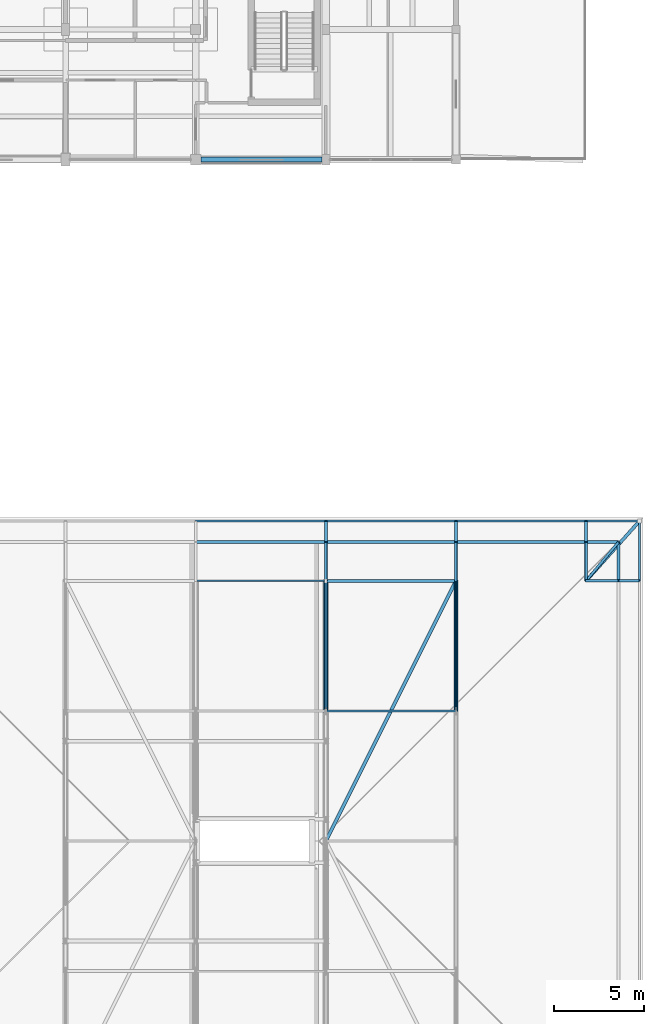
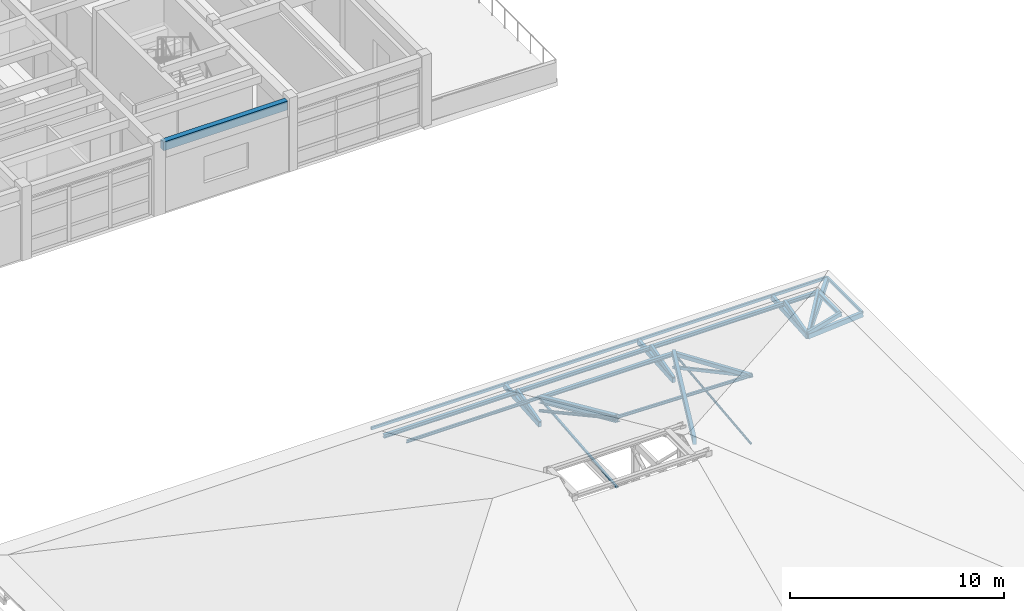
# One storey, part 37 of 100: 30 members, 1 beam.
"""IFC4 building model written with IfcOpenShell, lengths in metres."""

from ifc_helpers import new_model, si_unit, direction, frame, origin, origin_2d, place, context, subcontext, project, spatial, rectangle, hollow_rectangle, hollow_circle, i_section, extrude, material, material_profile, profile_set, type_object, element, save


model = new_model("IFC4")

# Units and contexts
model_context = context("Model", 3, precision=1e-05, world=origin(), true_north=direction((0.0, 1.0)))
body_context = subcontext(model_context, "Body", "Model", "MODEL_VIEW")
ifc_project = project(units=[si_unit("LENGTHUNIT", "METRE"), si_unit("AREAUNIT", "SQUARE_METRE"), si_unit("VOLUMEUNIT", "CUBIC_METRE"), si_unit("PLANEANGLEUNIT", "RADIAN"), si_unit("MASSUNIT", "GRAM", prefix="KILO")], contexts=[model_context])

# Site, building, storey
site_placement = place(None, origin())
site = spatial("IfcSite", under=ifc_project, at=site_placement, CompositionType="ELEMENT")
building_placement = place(site_placement, origin())
building = spatial("IfcBuilding", under=site, at=building_placement, Name="Steenspoor Specialist Clinic", CompositionType="ELEMENT")
storey_placement = place(building_placement, frame((0.0, 0.0, 9.0)))
storey = spatial("IfcBuildingStorey", under=building, at=storey_placement, Name="L02", CompositionType="ELEMENT", Elevation=9.0)

# Members
ifc_material_1 = material(Name="Steel A500 Grade C", Category="steel")
ifc_material_profile_1 = material_profile(ifc_material_1, hollow_circle(Radius=0.084228515625, WallThickness=0.007080078125, at=origin_2d()), Name="CHS168X7.1")
ifc_profile_set_1 = profile_set([ifc_material_profile_1], Name="Steel A500 Grade C")
member_type_1 = type_object("IfcMemberType", Name="MEM-BRACE-CHS168", PredefinedType="BRACE", material=ifc_profile_set_1)
member_1_placement = place(storey_placement, frame((146.800048828125, 34.64990234375, 4.218017578125), z_axis=(0.0, 0.877939937854, -0.478770785993), x_axis=(-1.0, 0.0, 0.0)))
element("IfcMember", 1, at=member_1_placement, inside=storey, type_object=member_type_1, Name="ROOF TRUSS Web Brace V2 5.4", PredefinedType="BRACE", context=body_context, shape_type="SweptSolid", body=[
    extrude(hollow_circle(Radius=0.084228515625, WallThickness=0.007080078125, at=origin_2d()), origin(), (0.0, 0.0, 1.0), 8.201171875),
])
ifc_material_profile_2 = material_profile(ifc_material_1, hollow_rectangle(XDim=0.15234375, YDim=0.15234375, WallThickness=0.0087890625, at=origin_2d()), Name="HSS152X152X9.5")
ifc_profile_set_2 = profile_set([ifc_material_profile_2], Name="Steel A500 Grade C")
member_type_2 = type_object("IfcMemberType", Name="MEM-BRACE-H152", PredefinedType="BRACE", material=ifc_profile_set_2)
member_2_placement = place(storey_placement, frame((154.0, 34.64990234375, 4.133056640625), z_axis=(0.0, 0.880312904893, -0.474393496455), x_axis=(-1.0, 0.0, 0.0)))
element("IfcMember", 2, at=member_2_placement, inside=storey, type_object=member_type_2, Name="ROOF TRUSS Web Brace V2 6.4", PredefinedType="BRACE", context=body_context, shape_type="SweptSolid", body=[
    extrude(hollow_rectangle(XDim=0.15234375, YDim=0.15234375, WallThickness=0.0087890625, at=origin_2d()), origin(), (0.0, 0.0, 1.0), 8.17919921875),
])
ifc_material_profile_3 = material_profile(ifc_material_1, hollow_rectangle(XDim=0.203125, YDim=0.203125, WallThickness=0.01171875, at=origin_2d()), Name="HSS203X203X12.7")
ifc_profile_set_3 = profile_set([ifc_material_profile_3], Name="Steel A500 Grade C")
member_type_3 = type_object("IfcMemberType", Name="MEM-CHORD-H203", PredefinedType="CHORD", material=ifc_profile_set_3)
member_3_placement = place(storey_placement, frame((154.0, 34.64990234375, 4.133056640625), z_axis=(0.0, 0.918991843269, -0.39427654255), x_axis=(-1.0, 0.0, 0.0)))
element("IfcMember", 3, at=member_3_placement, inside=storey, type_object=member_type_3, Name="ROOF TRUSS Top Chord V2 6.4", PredefinedType="CHORD", context=body_context, shape_type="SweptSolid", body=[
    extrude(hollow_rectangle(XDim=0.203125, YDim=0.203125, WallThickness=0.01171875, at=origin_2d()), origin(), (0.0, 0.0, 1.0), 7.8349609375),
])
ifc_material_2 = material(Name="Steel A992 Grade 50", Category="steel")
ifc_material_profile_4 = material_profile(ifc_material_2, i_section(OverallWidth=0.257080078125, OverallDepth=0.363037109375, WebThickness=0.012939453125, FlangeThickness=0.021728515625, at=origin_2d()), Name="W360X122")
ifc_profile_set_4 = profile_set([ifc_material_profile_4], Name="Steel A992 Grade 50")
member_type_4 = type_object("IfcMemberType", Name="MEM-CHORD-W360", PredefinedType="CHORD", material=ifc_profile_set_4)
member_4_placement = place(storey_placement, frame((146.800048828125, 34.64990234375, 4.218017578125), z_axis=(0.0, 0.911601974326, -0.411074008428), x_axis=(-1.0, 0.0, 0.0)))
element("IfcMember", 4, at=member_4_placement, inside=storey, type_object=member_type_4, Name="ROOF TRUSS Top Chord V2 5.4", PredefinedType="CHORD", context=body_context, shape_type="SweptSolid", body=[
    extrude(i_section(OverallWidth=0.257080078125, OverallDepth=0.363037109375, WebThickness=0.012939453125, FlangeThickness=0.021728515625, at=origin_2d()), origin(), (0.0, 0.0, 1.0), 7.8984375),
])
ifc_material_profile_5 = material_profile(ifc_material_1, hollow_rectangle(XDim=0.1015625, YDim=0.15234375, WallThickness=0.005859375, at=origin_2d()), Name="HSS152X102X6.4")
ifc_profile_set_5 = profile_set([ifc_material_profile_5], Name="Steel A500 Grade C")
member_type_5 = type_object("IfcMemberType", Name="MEM-PURLIN-H152", PredefinedType="PURLIN", material=ifc_profile_set_5)
for number, where, z_axis, x_axis, name in (
    (5, (139.60009765625, 45.14990234375, -0.19482421875), (1.0, 0.0, 0.0), (0.0, 1.0, 0.0), "ROOF TRUSS Eave Fascia 102"),
    (6, (146.800048828125, 45.14990234375, -0.19482421875), (1.0, 0.0, 0.0), (0.0, 1.0, 0.0), "ROOF TRUSS Eave Fascia 103"),
    (7, (154.0, 45.14990234375, -0.19482421875), (1.0, 0.0, 0.0), (0.0, 1.0, 0.0), "ROOF TRUSS Eave Fascia 104"),
):
    element("IfcMember", number, at=place(storey_placement, frame(where, z_axis=z_axis, x_axis=x_axis)), inside=storey, type_object=member_type_5, Name=name, PredefinedType="PURLIN", context=body_context, shape_type="SweptSolid", body=[
        extrude(hollow_rectangle(XDim=0.1015625, YDim=0.15234375, WallThickness=0.005859375, at=origin_2d()), origin(), (0.0, 0.0, 1.0), 7.199951171875),
    ])
member_5_placement = place(storey_placement, frame((161.199951171875, 45.14990234375, -0.19482421875), z_axis=(1.0, 0.0, 0.0), x_axis=(0.0, 1.0, 0.0)))
element("IfcMember", 8, at=member_5_placement, inside=storey, type_object=member_type_5, Name="ROOF TRUSS Eave Fascia 105", PredefinedType="PURLIN", context=body_context, shape_type="SweptSolid", body=[
    extrude(hollow_rectangle(XDim=0.1015625, YDim=0.15234375, WallThickness=0.005859375, at=origin_2d()), origin(), (0.0, 0.0, 1.0), 2.949951171875),
])
member_6_placement = place(storey_placement, frame((164.14990234375, 41.85009765625, -0.19482421875), z_axis=(0.0, 1.0, 0.0), x_axis=(-1.0, 0.0, 0.0)))
element("IfcMember", 9, at=member_6_placement, inside=storey, type_object=member_type_5, Name="ROOF TRUSS Eave Fascia 108", PredefinedType="PURLIN", context=body_context, shape_type="SweptSolid", body=[
    extrude(hollow_rectangle(XDim=0.1015625, YDim=0.15234375, WallThickness=0.005859375, at=origin_2d()), origin(), (0.0, 0.0, 1.0), 3.2998046875),
])
ifc_material_profile_6 = material_profile(ifc_material_2, i_section(OverallWidth=0.10205078125, OverallDepth=0.159912109375, WebThickness=0.006591796875, FlangeThickness=0.01025390625, at=origin_2d()), Name="W150X24")
ifc_profile_set_6 = profile_set([ifc_material_profile_6], Name="Steel A992 Grade 50")
member_type_6 = type_object("IfcMemberType", Name="MEM-PURLIN-W150", PredefinedType="PURLIN", material=ifc_profile_set_6)
member_7_placement = place(storey_placement, frame((139.60009765625, 41.85009765625, 1.056640625), z_axis=(1.0, 0.0, 0.0), x_axis=(0.0, 1.0, 0.0)))
element("IfcMember", 10, at=member_7_placement, inside=storey, type_object=member_type_6, Name="ROOF TRUSS Purlin 135", PredefinedType="PURLIN", context=body_context, shape_type="SweptSolid", body=[
    extrude(i_section(OverallWidth=0.10205078125, OverallDepth=0.159912109375, WebThickness=0.006591796875, FlangeThickness=0.01025390625, at=origin_2d()), origin(), (0.0, 0.0, 1.0), 7.199951171875),
])
member_8_placement = place(storey_placement, frame((146.800048828125, 34.64990234375, 4.303466796875), z_axis=(0.999760172055, 0.0, -0.021899734534), x_axis=(0.0, 1.0, 0.0)))
element("IfcMember", 11, at=member_8_placement, inside=storey, type_object=member_type_6, Name="ROOF TRUSS Purlin 139", PredefinedType="PURLIN", context=body_context, shape_type="SweptSolid", body=[
    extrude(i_section(OverallWidth=0.10205078125, OverallDepth=0.159912109375, WebThickness=0.006591796875, FlangeThickness=0.01025390625, at=origin_2d()), origin(), (0.0, 0.0, 1.0), 7.20166015625),
])
ifc_material_profile_7 = material_profile(ifc_material_2, i_section(OverallWidth=0.1650390625, OverallDepth=0.200927734375, WebThickness=0.006103515625, FlangeThickness=0.01025390625, at=origin_2d()), Name="W200X36")
ifc_profile_set_7 = profile_set([ifc_material_profile_7], Name="Steel A992 Grade 50")
member_type_7 = type_object("IfcMemberType", Name="MEM-PURLIN-W200", PredefinedType="PURLIN", material=ifc_profile_set_7)
for number, where, z_axis, x_axis, name in (
    (12, (139.60009765625, 44.0, 0.068603515625), (1.0, 0.0, 0.0), (0.0, 1.0, 0.0), "ROOF TRUSS Knuckle Purlin 114"),
    (13, (146.800048828125, 44.0, 0.068603515625), (1.0, 0.0, 0.0), (0.0, 1.0, 0.0), "ROOF TRUSS Knuckle Purlin 116"),
    (14, (154.0, 44.0, 0.068603515625), (1.0, 0.0, 0.0), (0.0, 1.0, 0.0), "ROOF TRUSS Knuckle Purlin 118"),
):
    element("IfcMember", number, at=place(storey_placement, frame(where, z_axis=z_axis, x_axis=x_axis)), inside=storey, type_object=member_type_7, Name=name, PredefinedType="PURLIN", context=body_context, shape_type="SweptSolid", body=[
        extrude(i_section(OverallWidth=0.1650390625, OverallDepth=0.200927734375, WebThickness=0.006103515625, FlangeThickness=0.01025390625, at=origin_2d()), origin(), (0.0, 0.0, 1.0), 7.199951171875),
    ])
member_9_placement = place(storey_placement, frame((161.199951171875, 44.0, 0.068603515625), z_axis=(1.0, 0.0, 0.0), x_axis=(0.0, 1.0, 0.0)))
element("IfcMember", 15, at=member_9_placement, inside=storey, type_object=member_type_7, Name="ROOF TRUSS Knuckle Purlin 120", PredefinedType="PURLIN", context=body_context, shape_type="SweptSolid", body=[
    extrude(i_section(OverallWidth=0.1650390625, OverallDepth=0.200927734375, WebThickness=0.006103515625, FlangeThickness=0.01025390625, at=origin_2d()), origin(), (0.0, 0.0, 1.0), 1.800048828125),
])
member_10_placement = place(storey_placement, frame((163.0, 41.85009765625, 0.068603515625), z_axis=(0.0, 1.0, 0.0), x_axis=(-1.0, 0.0, 0.0)))
element("IfcMember", 16, at=member_10_placement, inside=storey, type_object=member_type_7, Name="ROOF TRUSS Knuckle Purlin 126", PredefinedType="PURLIN", context=body_context, shape_type="SweptSolid", body=[
    extrude(i_section(OverallWidth=0.1650390625, OverallDepth=0.200927734375, WebThickness=0.006103515625, FlangeThickness=0.01025390625, at=origin_2d()), origin(), (0.0, 0.0, 1.0), 2.14990234375),
])
member_11_placement = place(storey_placement, frame((146.800048828125, 41.85009765625, 1.0361328125), z_axis=(1.0, 0.0, 0.0), x_axis=(0.0, 1.0, 0.0)))
element("IfcMember", 17, at=member_11_placement, inside=storey, type_object=member_type_7, Name="ROOF TRUSS Purlin 140", PredefinedType="PURLIN", context=body_context, shape_type="SweptSolid", body=[
    extrude(i_section(OverallWidth=0.1650390625, OverallDepth=0.200927734375, WebThickness=0.006103515625, FlangeThickness=0.01025390625, at=origin_2d()), origin(), (0.0, 0.0, 1.0), 7.199951171875),
])
ifc_material_3 = material(Name="Glulam GL28h", Category="wood")
ifc_material_profile_8 = material_profile(ifc_material_3, rectangle(XDim=0.139892578125, YDim=0.219970703125, at=origin_2d()), Name="GL28H-140X220")
ifc_profile_set_8 = profile_set([ifc_material_profile_8], Name="Glulam GL28h")
member_type_8 = type_object("IfcMemberType", Name="MEM-RAFTER-GL220", PredefinedType="RAFTER", material=ifc_profile_set_8)
for number, where, z_axis, x_axis, name in (
    (18, (146.800048828125, 41.85009765625, -0.404296875), (0.0, 0.965391000043, 0.260806857722), (-1.0, 0.0, 0.0), "ROOF TRUSS Knuckle Rafter V2 58"),
    (19, (154.0, 41.85009765625, -0.404296875), (0.0, 0.965391000043, 0.260806857722), (-1.0, 0.0, 0.0), "ROOF TRUSS Knuckle Rafter V2 62"),
    (20, (161.199951171875, 41.85009765625, -0.404296875), (0.0, 0.965391000043, 0.260806857722), (-1.0, 0.0, 0.0), "ROOF TRUSS Knuckle Rafter V2 66"),
):
    element("IfcMember", number, at=place(storey_placement, frame(where, z_axis=z_axis, x_axis=x_axis)), inside=storey, type_object=member_type_8, Name=name, PredefinedType="RAFTER", context=body_context, shape_type="SweptSolid", body=[
        extrude(rectangle(XDim=0.139892578125, YDim=0.219970703125, at=origin_2d()), origin(), (0.0, 0.0, 1.0), 2.22705078125),
    ])
member_12_placement = place(storey_placement, frame((161.199951171875, 41.85009765625, -0.331298828125), z_axis=(0.962434808495, 0.0, 0.271512871514), x_axis=(0.0, 1.0, 0.0)))
element("IfcMember", 21, at=member_12_placement, inside=storey, type_object=member_type_8, Name="ROOF TRUSS Knuckle Rafter V2 72", PredefinedType="RAFTER", context=body_context, shape_type="SweptSolid", body=[
    extrude(rectangle(XDim=0.139892578125, YDim=0.219970703125, at=origin_2d()), origin(), (0.0, 0.0, 1.0), 1.870361328125),
])
member_13_placement = place(storey_placement, frame((161.199951171875, 41.85009765625, -0.4921875), z_axis=(0.624451920326, 0.745819016736, 0.231978002139), x_axis=(-0.766734749256, 0.641964036596, 0.0)))
element("IfcMember", 22, at=member_13_placement, inside=storey, type_object=member_type_8, Name="ROOF TRUSS Corner Knuckle Rafter V2 78", PredefinedType="RAFTER", context=body_context, shape_type="SweptSolid", body=[
    extrude(rectangle(XDim=0.139892578125, YDim=0.219970703125, at=origin_2d()), origin(), (0.0, 0.0, 1.0), 2.882568359375),
])
ifc_material_profile_9 = material_profile(ifc_material_3, rectangle(XDim=0.159912109375, YDim=0.280029296875, at=origin_2d()), Name="GL28H-160X280")
ifc_profile_set_9 = profile_set([ifc_material_profile_9], Name="Glulam GL28h")
member_type_9 = type_object("IfcMemberType", Name="MEM-RAFTER-GL280", PredefinedType="RAFTER", material=ifc_profile_set_9)
for number, where, z_axis, x_axis, name in (
    (23, (146.800048828125, 41.85009765625, -0.5), (0.0, 0.997518288162, 0.070407846027), (-1.0, 0.0, 0.0), "ROOF TRUSS Flared Eave Glulam Outrigger V2 57"),
    (24, (154.0, 41.85009765625, -0.5), (0.0, 0.997518288162, 0.070407846027), (-1.0, 0.0, 0.0), "ROOF TRUSS Flared Eave Glulam Outrigger V2 61"),
    (25, (161.199951171875, 41.85009765625, -0.5), (0.0, 0.997518288162, 0.070407846027), (-1.0, 0.0, 0.0), "ROOF TRUSS Flared Eave Glulam Outrigger V2 65"),
):
    element("IfcMember", number, at=place(storey_placement, frame(where, z_axis=z_axis, x_axis=x_axis)), inside=storey, type_object=member_type_9, Name=name, PredefinedType="RAFTER", context=body_context, shape_type="SweptSolid", body=[
        extrude(rectangle(XDim=0.159912109375, YDim=0.280029296875, at=origin_2d()), origin(), (0.0, 0.0, 1.0), 3.30810546875),
    ])
member_14_placement = place(storey_placement, frame((161.199951171875, 41.85009765625, -0.5), z_axis=(0.996897637595, 0.0, 0.078708958559), x_axis=(0.0, 1.0, 0.0)))
element("IfcMember", 26, at=member_14_placement, inside=storey, type_object=member_type_9, Name="ROOF TRUSS Flared Eave Glulam Outrigger V2 71", PredefinedType="RAFTER", context=body_context, shape_type="SweptSolid", body=[
    extrude(rectangle(XDim=0.159912109375, YDim=0.280029296875, at=origin_2d()), origin(), (0.0, 0.0, 1.0), 2.959228515625),
])
ifc_material_profile_10 = material_profile(ifc_material_3, rectangle(XDim=0.179931640625, YDim=0.360107421875, at=origin_2d()), Name="GL28H-180X360")
ifc_profile_set_10 = profile_set([ifc_material_profile_10], Name="Glulam GL28h")
member_type_10 = type_object("IfcMemberType", Name="MEM-RAFTER-GL360", PredefinedType="RAFTER", material=ifc_profile_set_10)
member_15_placement = place(storey_placement, frame((161.199951171875, 41.85009765625, -0.5), z_axis=(0.66585491289, 0.744822891883, 0.043313908924), x_axis=(-0.745522555656, 0.666480396567, 0.0)))
element("IfcMember", 27, at=member_15_placement, inside=storey, type_object=member_type_10, Name="ROOF TRUSS Corner Hip Outrigger V2 77", PredefinedType="RAFTER", context=body_context, shape_type="SweptSolid", body=[
    extrude(rectangle(XDim=0.179931640625, YDim=0.360107421875, at=origin_2d()), origin(), (0.0, 0.0, 1.0), 4.430419921875),
])
member_16_placement = place(storey_placement, frame((154.0, 41.85009765625, 1.0439453125), z_axis=(-0.416780695882, -0.833575524235, 0.362554405485), x_axis=(0.89443022382, -0.447207529808, 0.0)))
element("IfcMember", 28, at=member_16_placement, inside=storey, type_object=member_type_10, Name="ROOF TRUSS Hip Rafter V2 144", PredefinedType="RAFTER", context=body_context, shape_type="SweptSolid", body=[
    extrude(rectangle(XDim=0.179931640625, YDim=0.360107421875, at=origin_2d()), origin(), (0.0, 0.0, 1.0), 17.275146484375),
])
ifc_material_profile_11 = material_profile(ifc_material_1, hollow_circle(Radius=0.05712890625, WallThickness=0.006103515625, at=origin_2d()), Name="CHS114X6.0")
ifc_profile_set_11 = profile_set([ifc_material_profile_11], Name="Steel A500 Grade C")
member_type_11 = type_object("IfcMemberType", Name="MEM-STRUT-CHS114", PredefinedType="STRUT", material=ifc_profile_set_11)
member_17_placement = place(storey_placement, frame((154.0, 34.64990234375, 0.2529296875), z_axis=(0.0, 0.994019438825, 0.109203274847), x_axis=(-1.0, 0.0, 0.0)))
element("IfcMember", 29, at=member_17_placement, inside=storey, type_object=member_type_11, Name="ROOF TRUSS Web Strut V2 6.4", PredefinedType="STRUT", context=body_context, shape_type="SweptSolid", body=[
    extrude(hollow_circle(Radius=0.05712890625, WallThickness=0.006103515625, at=origin_2d()), origin(), (0.0, 0.0, 1.0), 7.243408203125),
])
ifc_material_profile_12 = material_profile(ifc_material_1, hollow_rectangle(XDim=0.1015625, YDim=0.1015625, WallThickness=0.005859375, at=origin_2d()), Name="HSS102X102X6.4")
ifc_profile_set_12 = profile_set([ifc_material_profile_12], Name="Steel A500 Grade C")
member_type_12 = type_object("IfcMemberType", Name="MEM-STRUT-H102", PredefinedType="STRUT", material=ifc_profile_set_12)
member_18_placement = place(storey_placement, frame((146.800048828125, 34.64990234375, 0.29150390625), z_axis=(0.0, 0.995574021692, 0.093980675315), x_axis=(-1.0, 0.0, 0.0)))
element("IfcMember", 30, at=member_18_placement, inside=storey, type_object=member_type_12, Name="ROOF TRUSS Web Strut V2 5.4", PredefinedType="STRUT", context=body_context, shape_type="SweptSolid", body=[
    extrude(hollow_rectangle(XDim=0.1015625, YDim=0.1015625, WallThickness=0.005859375, at=origin_2d()), origin(), (0.0, 0.0, 1.0), 7.232177734375),
])

# Beam
ifc_material_4 = material(Name="Concrete C35/45", Category="concrete")
ifc_material_profile_13 = material_profile(ifc_material_4, rectangle(XDim=0.280029296875, YDim=0.5, at=origin_2d()), Name="RC-SP-280X500")
ifc_profile_set_13 = profile_set([ifc_material_profile_13], Name="Concrete C35/45")
beam_type = type_object("IfcBeamType", Name="SP-RC-280X500", PredefinedType="SPANDREL", material=ifc_profile_set_13)
beam_placement = place(storey_placement, frame((139.89501953125, 65.14990234375, 3.699951171875), z_axis=(1.0, 0.0, 0.0), x_axis=(0.0, 1.0, 0.0)))
element("IfcBeam", 31, at=beam_placement, inside=storey, type_object=beam_type, Name="BM-V6-L02-X1604", PredefinedType="SPANDREL", context=body_context, shape_type="SweptSolid", body=[
    extrude(rectangle(XDim=0.280029296875, YDim=0.5, at=origin_2d()), origin(), (0.0, 0.0, 1.0), 6.68505859375),
])

save(model, "model.ifc")
